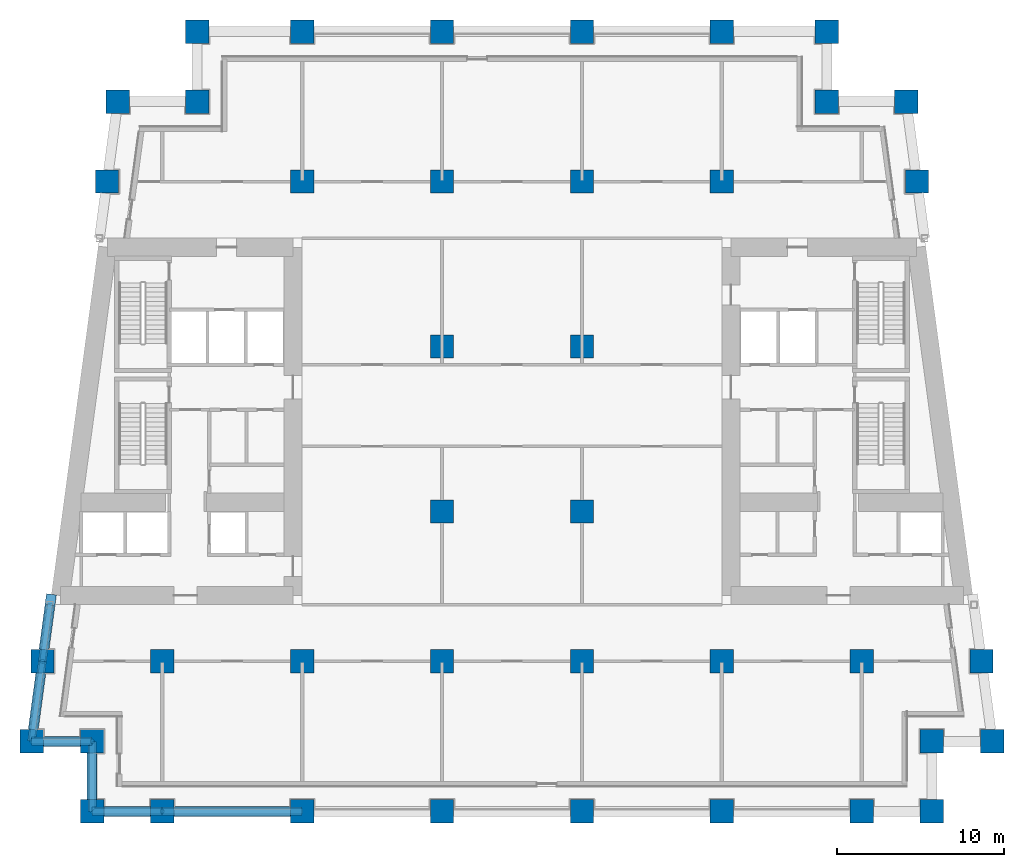
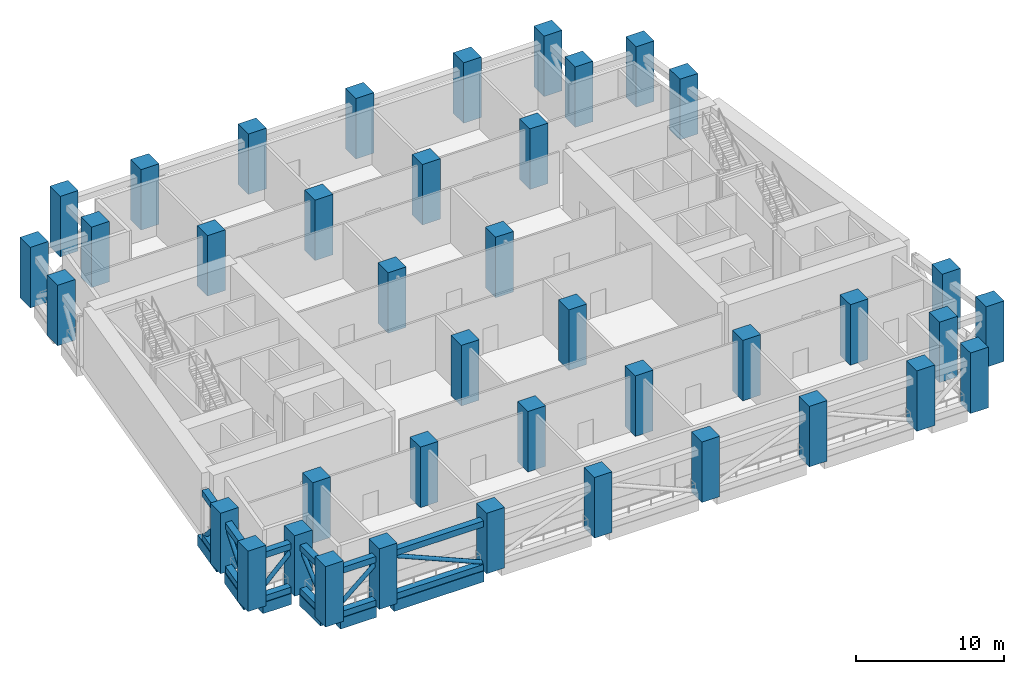
# One storey, part 1 of 12: 40 columns, 18 members, 6 beams.
"""IFC4 building model written with IfcOpenShell, lengths in metres."""

from ifc_helpers import new_model, si_unit, direction, frame, origin, origin_2d, place, context, subcontext, project, spatial, rectangle, hollow_rectangle, hollow_circle, extrude, material, material_profile, profile_set, type_object, element, save


model = new_model("IFC4")

# Units and contexts
model_context = context("Model", 3, precision=1e-05, world=origin(), true_north=direction((0.0, 1.0)))
body_context = subcontext(model_context, "Body", "Model", "MODEL_VIEW")
ifc_project = project(units=[si_unit("LENGTHUNIT", "METRE"), si_unit("AREAUNIT", "SQUARE_METRE"), si_unit("VOLUMEUNIT", "CUBIC_METRE"), si_unit("PLANEANGLEUNIT", "RADIAN"), si_unit("MASSUNIT", "GRAM", prefix="KILO")], contexts=[model_context])

# Site, building, storey
site_placement = place(None, origin())
site = spatial("IfcSite", under=ifc_project, at=site_placement, CompositionType="ELEMENT")
building_placement = place(site_placement, origin())
building = spatial("IfcBuilding", under=site, at=building_placement, Name="Candeia Pilgrim Tower and Theatre", CompositionType="ELEMENT")
storey_placement = place(building_placement, frame((0.0, 0.0, 81.0)))
storey = spatial("IfcBuildingStorey", under=building, at=storey_placement, Name="L18", CompositionType="ELEMENT", Elevation=81.0)

# Columns
ifc_material_1 = material(Name="Concrete C80/95", Category="concrete")
ifc_material_profile_1 = material_profile(ifc_material_1, rectangle(XDim=1.39990234375, YDim=1.39990234375, at=origin_2d()))
ifc_profile_set_1 = profile_set([ifc_material_profile_1], Name="Concrete C80/95")
column_type = type_object("IfcColumnType", Name="RC 1400x1400 C80/95", PredefinedType="COLUMN", material=ifc_profile_set_1)
for number, where, z_axis, x_axis, name in (
    (1, (92.39990234375, 98.0, 0.0), (0.0, 0.0, 1.0), (1.0, 0.0, 0.0), "Column A1"),
    (2, (100.800048828125, 98.0, 0.0), (0.0, 0.0, 1.0), (1.0, 0.0, 0.0), "Column A2"),
    (3, (109.199951171875, 98.0, 0.0), (0.0, 0.0, 1.0), (1.0, 0.0, 0.0), "Column A3"),
    (4, (117.60009765625, 98.0, 0.0), (0.0, 0.0, 1.0), (1.0, 0.0, 0.0), "Column A4"),
    (5, (126.0, 98.0, 0.0), (0.0, 0.0, 1.0), (1.0, 0.0, 0.0), "Column A5"),
    (6, (134.39990234375, 98.0, 0.0), (0.0, 0.0, 1.0), (1.0, 0.0, 0.0), "Column A6"),
    (7, (88.199951171875, 98.0, 0.0), (0.0, 0.0, 1.0), (1.0, 0.0, 0.0), "Column AW"),
    (8, (138.60009765625, 98.0, 0.0), (0.0, 0.0, 1.0), (1.0, 0.0, 0.0), "Column AE"),
    (9, (88.199951171875, 102.199951171875, 0.0), (0.0, 0.0, 1.0), (1.0, 0.0, 0.0), "Column NSW"),
    (10, (138.60009765625, 102.199951171875, 0.0), (0.0, 0.0, 1.0), (1.0, 0.0, 0.0), "Column NSE"),
    (11, (94.5, 140.60009765625, 0.0), (0.0, 0.0, 1.0), (1.0, 0.0, 0.0), "Column NNW"),
    (12, (132.300048828125, 140.60009765625, 0.0), (0.0, 0.0, 1.0), (1.0, 0.0, 0.0), "Column NNE"),
    (13, (84.5654296875, 102.199951171875, 0.0), (0.0, 0.0, 1.0), (1.0, 0.0, 0.0), "Column LSW"),
    (14, (142.234619140625, 102.199951171875, 0.0), (0.0, 0.0, 1.0), (1.0, 0.0, 0.0), "Column LSE"),
    (15, (89.734619140625, 140.60009765625, 0.0), (0.0, 0.0, 1.0), (1.0, 0.0, 0.0), "Column LNW"),
    (16, (137.0654296875, 140.60009765625, 0.0), (0.0, 0.0, 1.0), (1.0, 0.0, 0.0), "Column LNE"),
    (17, (92.39990234375, 107.0, 0.0), (0.0, 0.0, 1.0), (1.0, 0.0, 0.0), "Column B1"),
    (18, (100.800048828125, 107.0, 0.0), (0.0, 0.0, 1.0), (1.0, 0.0, 0.0), "Column B2"),
    (19, (109.199951171875, 107.0, 0.0), (0.0, 0.0, 1.0), (1.0, 0.0, 0.0), "Column B3"),
    (20, (117.60009765625, 107.0, 0.0), (0.0, 0.0, 1.0), (1.0, 0.0, 0.0), "Column B4"),
    (21, (126.0, 107.0, 0.0), (0.0, 0.0, 1.0), (1.0, 0.0, 0.0), "Column B5"),
    (22, (134.39990234375, 107.0, 0.0), (0.0, 0.0, 1.0), (1.0, 0.0, 0.0), "Column B6"),
    (23, (85.21142578125, 107.0, 0.0), (0.0, 0.0, 1.0), (1.0, 0.0, 0.0), "Column BW"),
    (24, (141.58837890625, 107.0, 0.0), (0.0, 0.0, 1.0), (1.0, 0.0, 0.0), "Column BE"),
    (25, (109.199951171875, 116.0, 0.0), (0.0, 0.0, 1.0), (1.0, 0.0, 0.0), "Column C3"),
    (26, (117.60009765625, 116.0, 0.0), (0.0, 0.0, 1.0), (1.0, 0.0, 0.0), "Column C4"),
    (27, (109.199951171875, 125.89990234375, 0.0), (0.0, 0.0, 1.0), (1.0, 0.0, 0.0), "Column D3"),
    (28, (117.60009765625, 125.89990234375, 0.0), (0.0, 0.0, 1.0), (1.0, 0.0, 0.0), "Column D4"),
    (29, (100.800048828125, 135.800048828125, 0.0), (0.0, 0.0, 1.0), (1.0, 0.0, 0.0), "Column E2"),
    (30, (109.199951171875, 135.800048828125, 0.0), (0.0, 0.0, 1.0), (1.0, 0.0, 0.0), "Column E3"),
    (31, (117.60009765625, 135.800048828125, 0.0), (0.0, 0.0, 1.0), (1.0, 0.0, 0.0), "Column E4"),
    (32, (126.0, 135.800048828125, 0.0), (0.0, 0.0, 1.0), (1.0, 0.0, 0.0), "Column E5"),
    (33, (89.08837890625, 135.800048828125, 0.0), (0.0, 0.0, 1.0), (1.0, 0.0, 0.0), "Column EW"),
    (34, (137.71142578125, 135.800048828125, 0.0), (0.0, 0.0, 1.0), (1.0, 0.0, 0.0), "Column EE"),
    (35, (100.800048828125, 144.800048828125, 0.0), (0.0, 0.0, 1.0), (1.0, 0.0, 0.0), "Column F2"),
    (36, (109.199951171875, 144.800048828125, 0.0), (0.0, 0.0, 1.0), (1.0, 0.0, 0.0), "Column F3"),
    (37, (117.60009765625, 144.800048828125, 0.0), (0.0, 0.0, 1.0), (1.0, 0.0, 0.0), "Column F4"),
    (38, (126.0, 144.800048828125, 0.0), (0.0, 0.0, 1.0), (1.0, 0.0, 0.0), "Column F5"),
    (39, (94.5, 144.800048828125, 0.0), (0.0, 0.0, 1.0), (1.0, 0.0, 0.0), "Column FW"),
    (40, (132.300048828125, 144.800048828125, 0.0), (0.0, 0.0, 1.0), (1.0, 0.0, 0.0), "Column FE"),
):
    element("IfcColumn", number, at=place(storey_placement, frame(where, z_axis=z_axis, x_axis=x_axis)), inside=storey, type_object=column_type, Name=name, PredefinedType="COLUMN", context=body_context, shape_type="SweptSolid", body=[
        extrude(rectangle(XDim=1.39990234375, YDim=1.39990234375, at=origin_2d()), origin(), (0.0, 0.0, 1.0), 5.0),
    ])

# Members
ifc_material_2 = material(Name="Structural steel ASTM A572 Grade 50", Category="steel")
ifc_material_profile_2 = material_profile(ifc_material_2, hollow_rectangle(XDim=0.5, YDim=0.5, WallThickness=0.031982421875, at=origin_2d()))
ifc_profile_set_2 = profile_set([ifc_material_profile_2], Name="Structural steel ASTM A572 Grade 50")
member_type_1 = type_object("IfcMemberType", Name="BOX 500x500x32 chord", PredefinedType="CHORD", material=ifc_profile_set_2)
for number, where, z_axis, x_axis, name in (
    (41, (88.199951171875, 98.0, 0.25), (1.0, 0.0, 0.0), (0.0, 1.0, 0.0), "Belt truss bottom chord TBL18"),
    (42, (88.199951171875, 98.0, 3.85009765625), (1.0, 0.0, 0.0), (0.0, 1.0, 0.0), "Belt truss top chord TBL18"),
):
    element("IfcMember", number, at=place(storey_placement, frame(where, z_axis=z_axis, x_axis=x_axis)), inside=storey, type_object=member_type_1, Name=name, PredefinedType="CHORD", context=body_context, shape_type="SweptSolid", body=[
        extrude(hollow_rectangle(XDim=0.5, YDim=0.5, WallThickness=0.031982421875, at=origin_2d()), origin(), (0.0, 0.0, 1.0), 4.199951171875),
    ])
for number, where, z_axis, x_axis, name in (
    (43, (92.39990234375, 98.0, 0.25), (1.0, 0.0, 0.0), (0.0, 1.0, 0.0), "Belt truss bottom chord TBL18"),
    (44, (92.39990234375, 98.0, 3.85009765625), (1.0, 0.0, 0.0), (0.0, 1.0, 0.0), "Belt truss top chord TBL18"),
):
    element("IfcMember", number, at=place(storey_placement, frame(where, z_axis=z_axis, x_axis=x_axis)), inside=storey, type_object=member_type_1, Name=name, PredefinedType="CHORD", context=body_context, shape_type="SweptSolid", body=[
        extrude(hollow_rectangle(XDim=0.5, YDim=0.5, WallThickness=0.031982421875, at=origin_2d()), origin(), (0.0, 0.0, 1.0), 8.400146484375),
    ])
for number, where, z_axis, x_axis, name in (
    (45, (85.669189453125, 110.39990234375, 0.25), (-0.133436208017, -0.991057404185, 0.0), (0.991057404185, -0.133436208017, 0.0), "Belt truss bottom chord TBL18"),
    (46, (85.669189453125, 110.39990234375, 3.85009765625), (-0.133436208017, -0.991057404185, 0.0), (0.991057404185, -0.133436208017, 0.0), "Belt truss top chord TBL18"),
):
    element("IfcMember", number, at=place(storey_placement, frame(where, z_axis=z_axis, x_axis=x_axis)), inside=storey, type_object=member_type_1, Name=name, PredefinedType="CHORD", context=body_context, shape_type="SweptSolid", body=[
        extrude(hollow_rectangle(XDim=0.5, YDim=0.5, WallThickness=0.031982421875, at=origin_2d()), origin(), (0.0, 0.0, 1.0), 3.4306640625),
    ])
for number, where, z_axis, x_axis, name in (
    (47, (85.21142578125, 107.0, 0.25), (-0.133378687709, -0.991065147034, 0.0), (0.991065147034, -0.133378687709, 0.0), "Belt truss bottom chord TBL18"),
    (48, (85.21142578125, 107.0, 3.85009765625), (-0.133378687709, -0.991065147034, 0.0), (0.991065147034, -0.133378687709, 0.0), "Belt truss top chord TBL18"),
):
    element("IfcMember", number, at=place(storey_placement, frame(where, z_axis=z_axis, x_axis=x_axis)), inside=storey, type_object=member_type_1, Name=name, PredefinedType="CHORD", context=body_context, shape_type="SweptSolid", body=[
        extrude(hollow_rectangle(XDim=0.5, YDim=0.5, WallThickness=0.031982421875, at=origin_2d()), origin(), (0.0, 0.0, 1.0), 4.84326171875),
    ])
for number, where, z_axis, x_axis, name in (
    (49, (84.5654296875, 102.199951171875, 0.25), (1.0, 0.0, 0.0), (0.0, 1.0, 0.0), "Belt truss bottom chord TBL18"),
    (50, (84.5654296875, 102.199951171875, 3.85009765625), (1.0, 0.0, 0.0), (0.0, 1.0, 0.0), "Belt truss top chord TBL18"),
):
    element("IfcMember", number, at=place(storey_placement, frame(where, z_axis=z_axis, x_axis=x_axis)), inside=storey, type_object=member_type_1, Name=name, PredefinedType="CHORD", context=body_context, shape_type="SweptSolid", body=[
        extrude(hollow_rectangle(XDim=0.5, YDim=0.5, WallThickness=0.031982421875, at=origin_2d()), origin(), (0.0, 0.0, 1.0), 3.634521484375),
    ])
for number, where, z_axis, x_axis, name in (
    (51, (88.199951171875, 102.199951171875, 0.25), (0.0, -1.0, 0.0), (1.0, 0.0, 0.0), "Belt truss bottom chord TBL18"),
    (52, (88.199951171875, 102.199951171875, 3.85009765625), (0.0, -1.0, 0.0), (1.0, 0.0, 0.0), "Belt truss top chord TBL18"),
):
    element("IfcMember", number, at=place(storey_placement, frame(where, z_axis=z_axis, x_axis=x_axis)), inside=storey, type_object=member_type_1, Name=name, PredefinedType="CHORD", context=body_context, shape_type="SweptSolid", body=[
        extrude(hollow_rectangle(XDim=0.5, YDim=0.5, WallThickness=0.031982421875, at=origin_2d()), origin(), (0.0, 0.0, 1.0), 4.199951171875),
    ])
ifc_material_profile_3 = material_profile(ifc_material_2, hollow_circle(Radius=0.161865234375, WallThickness=0.012451171875, at=origin_2d()))
ifc_profile_set_3 = profile_set([ifc_material_profile_3], Name="Structural steel ASTM A572 Grade 50")
member_type_2 = type_object("IfcMemberType", Name="CHS 324x12.5 brace", PredefinedType="BRACE", material=ifc_profile_set_3)
member_1_placement = place(storey_placement, frame((88.199951171875, 98.0, 0.25), z_axis=(0.759244140748, 0.0, 0.650805911728), x_axis=(0.0, 1.0, 0.0)))
element("IfcMember", 53, at=member_1_placement, inside=storey, type_object=member_type_2, Name="Belt truss diagonal TBL18", PredefinedType="BRACE", context=body_context, shape_type="SweptSolid", body=[
    extrude(hollow_circle(Radius=0.161865234375, WallThickness=0.012451171875, at=origin_2d()), origin(), (0.0, 0.0, 1.0), 5.53173828125),
])
member_2_placement = place(storey_placement, frame((100.800048828125, 98.0, 0.25), z_axis=(-0.919143648261, 0.0, 0.393922522663), x_axis=(0.0, -1.0, 0.0)))
element("IfcMember", 54, at=member_2_placement, inside=storey, type_object=member_type_2, Name="Belt truss diagonal TBL18", PredefinedType="BRACE", context=body_context, shape_type="SweptSolid", body=[
    extrude(hollow_circle(Radius=0.161865234375, WallThickness=0.012451171875, at=origin_2d()), origin(), (0.0, 0.0, 1.0), 9.13916015625),
])
member_3_placement = place(storey_placement, frame((85.669189453125, 110.39990234375, 0.25), z_axis=(-0.092051929327, -0.683688089494, 0.723945466586), x_axis=(0.991057404185, -0.133436208017, 0.0)))
element("IfcMember", 55, at=member_3_placement, inside=storey, type_object=member_type_2, Name="Belt truss diagonal TBL18", PredefinedType="BRACE", context=body_context, shape_type="SweptSolid", body=[
    extrude(hollow_circle(Radius=0.161865234375, WallThickness=0.012451171875, at=origin_2d()), origin(), (0.0, 0.0, 1.0), 4.972900390625),
])
member_4_placement = place(storey_placement, frame((84.5654296875, 102.199951171875, 0.25), z_axis=(0.107045636073, 0.795398431907, 0.596558937841), x_axis=(-0.991065147034, 0.133378687709, 0.0)))
element("IfcMember", 56, at=member_4_placement, inside=storey, type_object=member_type_2, Name="Belt truss diagonal TBL18", PredefinedType="BRACE", context=body_context, shape_type="SweptSolid", body=[
    extrude(hollow_circle(Radius=0.161865234375, WallThickness=0.012451171875, at=origin_2d()), origin(), (0.0, 0.0, 1.0), 6.03466796875),
])
member_5_placement = place(storey_placement, frame((84.5654296875, 102.199951171875, 0.25), z_axis=(0.710463300268, 0.0, 0.70373425309), x_axis=(0.0, 1.0, 0.0)))
element("IfcMember", 57, at=member_5_placement, inside=storey, type_object=member_type_2, Name="Belt truss diagonal TBL18", PredefinedType="BRACE", context=body_context, shape_type="SweptSolid", body=[
    extrude(hollow_circle(Radius=0.161865234375, WallThickness=0.012451171875, at=origin_2d()), origin(), (0.0, 0.0, 1.0), 5.11572265625),
])
member_6_placement = place(storey_placement, frame((88.199951171875, 98.0, 0.25), z_axis=(0.0, 0.759244140748, 0.650805911728), x_axis=(-1.0, 0.0, 0.0)))
element("IfcMember", 58, at=member_6_placement, inside=storey, type_object=member_type_2, Name="Belt truss diagonal TBL18", PredefinedType="BRACE", context=body_context, shape_type="SweptSolid", body=[
    extrude(hollow_circle(Radius=0.161865234375, WallThickness=0.012451171875, at=origin_2d()), origin(), (0.0, 0.0, 1.0), 5.53173828125),
])

# Beams
ifc_material_profile_4 = material_profile(ifc_material_1, rectangle(XDim=0.60009765625, YDim=0.89990234375, at=origin_2d()))
ifc_profile_set_4 = profile_set([ifc_material_profile_4], Name="Concrete C80/95")
beam_type = type_object("IfcBeamType", Name="RC 600x900 C80/95", PredefinedType="BEAM", material=ifc_profile_set_4)
beam_1_placement = place(storey_placement, frame((88.89990234375, 98.0, -0.449951171875), z_axis=(1.0, 0.0, 0.0), x_axis=(0.0, 1.0, 0.0)))
element("IfcBeam", 59, at=beam_1_placement, inside=storey, type_object=beam_type, Name="Spandrel beam L18-01", PredefinedType="BEAM", context=body_context, shape_type="SweptSolid", body=[
    extrude(rectangle(XDim=0.60009765625, YDim=0.89990234375, at=origin_2d()), origin(), (0.0, 0.0, 1.0), 2.800048828125),
])
beam_2_placement = place(storey_placement, frame((93.10009765625, 98.0, -0.449951171875), z_axis=(1.0, 0.0, 0.0), x_axis=(0.0, 1.0, 0.0)))
element("IfcBeam", 60, at=beam_2_placement, inside=storey, type_object=beam_type, Name="Spandrel beam L18-02", PredefinedType="BEAM", context=body_context, shape_type="SweptSolid", body=[
    extrude(rectangle(XDim=0.60009765625, YDim=0.89990234375, at=origin_2d()), origin(), (0.0, 0.0, 1.0), 7.0),
])
beam_3_placement = place(storey_placement, frame((85.753173828125, 111.0234375, -0.449951171875), z_axis=(-0.133446390132, -0.991056033209, 0.0), x_axis=(0.991056033209, -0.133446390132, 0.0)))
element("IfcBeam", 61, at=beam_3_placement, inside=storey, type_object=beam_type, Name="Spandrel beam L18-25", PredefinedType="BEAM", context=body_context, shape_type="SweptSolid", body=[
    extrude(rectangle(XDim=0.60009765625, YDim=0.89990234375, at=origin_2d()), origin(), (0.0, 0.0, 1.0), 3.353515625),
])
beam_4_placement = place(storey_placement, frame((85.1171875, 106.300048828125, -0.449951171875), z_axis=(-0.133356902381, -0.991068078685, 0.0), x_axis=(0.991068078685, -0.133356902381, 0.0)))
element("IfcBeam", 62, at=beam_4_placement, inside=storey, type_object=beam_type, Name="Spandrel beam L18-26", PredefinedType="BEAM", context=body_context, shape_type="SweptSolid", body=[
    extrude(rectangle(XDim=0.60009765625, YDim=0.89990234375, at=origin_2d()), origin(), (0.0, 0.0, 1.0), 3.430908203125),
])
beam_5_placement = place(storey_placement, frame((85.265380859375, 102.199951171875, -0.449951171875), z_axis=(1.0, 0.0, 0.0), x_axis=(0.0, 1.0, 0.0)))
element("IfcBeam", 63, at=beam_5_placement, inside=storey, type_object=beam_type, Name="Spandrel beam L18-27", PredefinedType="BEAM", context=body_context, shape_type="SweptSolid", body=[
    extrude(rectangle(XDim=0.60009765625, YDim=0.89990234375, at=origin_2d()), origin(), (0.0, 0.0, 1.0), 2.234619140625),
])
beam_6_placement = place(storey_placement, frame((88.199951171875, 101.5, -0.449951171875), z_axis=(0.0, -1.0, 0.0), x_axis=(1.0, 0.0, 0.0)))
element("IfcBeam", 64, at=beam_6_placement, inside=storey, type_object=beam_type, Name="Spandrel beam L18-28", PredefinedType="BEAM", context=body_context, shape_type="SweptSolid", body=[
    extrude(rectangle(XDim=0.60009765625, YDim=0.89990234375, at=origin_2d()), origin(), (0.0, 0.0, 1.0), 2.800048828125),
])

save(model, "model.ifc")
